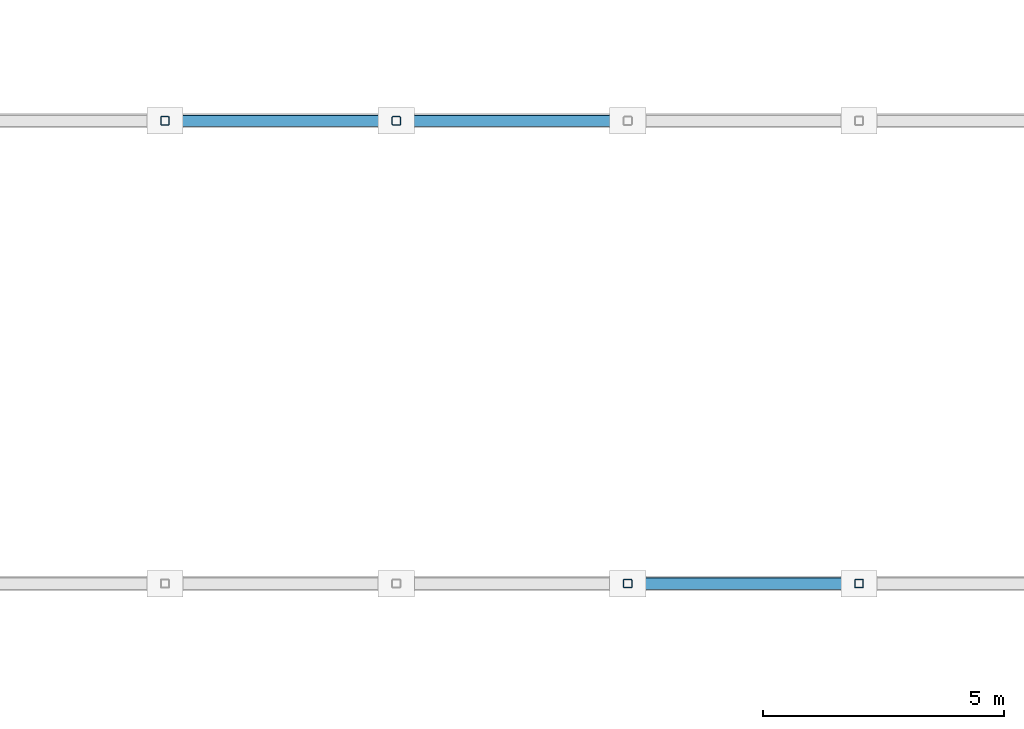
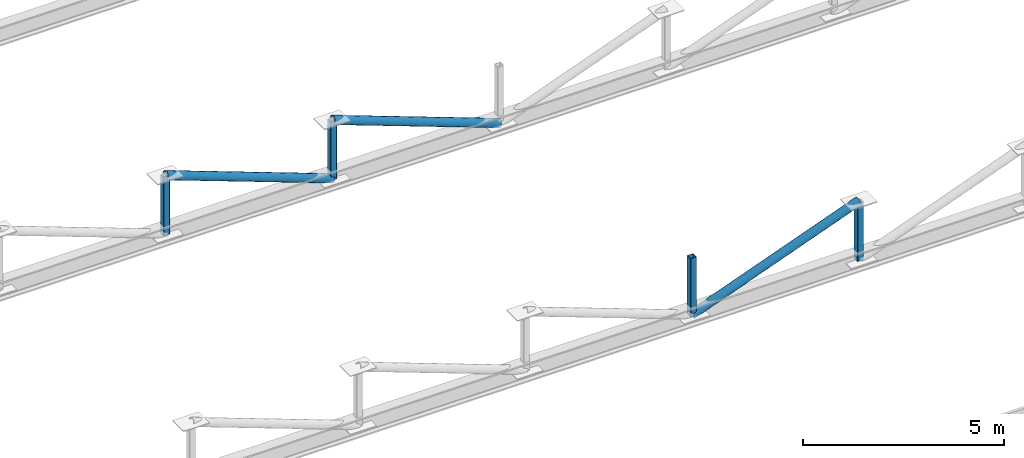
# One storey, part 26 of 101: 7 members.
"""IFC4 building model written with IfcOpenShell, lengths in metres."""

from ifc_helpers import new_model, si_unit, direction, frame, origin, origin_2d, place, context, subcontext, project, spatial, hollow_rectangle, hollow_circle, extrude, material, material_profile, profile_set, type_object, element, save


model = new_model("IFC4")

# Units and contexts
model_context = context("Model", 3, precision=1e-05, world=origin(), true_north=direction((0.0, 1.0)))
body_context = subcontext(model_context, "Body", "Model", "MODEL_VIEW")
ifc_project = project(units=[si_unit("LENGTHUNIT", "METRE"), si_unit("AREAUNIT", "SQUARE_METRE"), si_unit("VOLUMEUNIT", "CUBIC_METRE"), si_unit("PLANEANGLEUNIT", "RADIAN"), si_unit("MASSUNIT", "GRAM", prefix="KILO")], contexts=[model_context])

# Site, building, storey
site_placement = place(None, origin())
site = spatial("IfcSite", under=ifc_project, at=site_placement, CompositionType="ELEMENT")
building_placement = place(site_placement, origin())
building = spatial("IfcBuilding", under=site, at=building_placement, Name="Zevrakil Square Congress Hotel", CompositionType="ELEMENT")
storey_placement = place(building_placement, frame((0.0, 0.0, 5.39990234375)))
storey = spatial("IfcBuildingStorey", under=building, at=storey_placement, Name="L02", CompositionType="ELEMENT", Elevation=5.39990234375)

# Members
ifc_material_1 = material(Name="Steel S355", Category="steel")
ifc_material_profile_1 = material_profile(ifc_material_1, hollow_circle(Radius=0.122314453125, WallThickness=0.012451171875, at=origin_2d()), Name="CHS 244.5x12.5")
ifc_profile_set_1 = profile_set([ifc_material_profile_1], Name="Steel S355")
member_type_1 = type_object("IfcMemberType", Name="MEM-BRACE-CHS244", PredefinedType="BRACE", material=ifc_profile_set_1)
for number, where, z_axis, x_axis, name in (
    (1, (26.39990234375, 16.800048828125, 2.150146484375), (0.937932774607, 0.0, 0.346817113646), (0.0, 1.0, 0.0), "Ballroom Pratt truss diagonal BTD-14"),
    (2, (16.800048828125, 26.39990234375, 3.925048828125), (0.937932774607, 0.0, -0.346817113646), (0.0, 1.0, 0.0), "Ballroom Pratt truss diagonal BTD-22"),
):
    element("IfcMember", number, at=place(storey_placement, frame(where, z_axis=z_axis, x_axis=x_axis)), inside=storey, type_object=member_type_1, Name=name, PredefinedType="BRACE", context=body_context, shape_type="SweptSolid", body=[
        extrude(hollow_circle(Radius=0.122314453125, WallThickness=0.012451171875, at=origin_2d()), origin(), (0.0, 0.0, 1.0), 5.11767578125),
    ])
member_placement = place(storey_placement, frame((21.60009765625, 26.39990234375, 3.925048828125), z_axis=(0.937927036135, 0.0, -0.346832632386), x_axis=(0.0, 1.0, 0.0)))
element("IfcMember", 3, at=member_placement, inside=storey, type_object=member_type_1, Name="Ballroom Pratt truss diagonal BTD-23", PredefinedType="BRACE", context=body_context, shape_type="SweptSolid", body=[
    extrude(hollow_circle(Radius=0.122314453125, WallThickness=0.012451171875, at=origin_2d()), origin(), (0.0, 0.0, 1.0), 5.117431640625),
])
ifc_material_2 = material(Name="Steel S355", Category="steel")
ifc_material_profile_2 = material_profile(ifc_material_2, hollow_rectangle(XDim=0.179931640625, YDim=0.179931640625, WallThickness=0.010009765625, InnerFilletRadius=0.010009765625, OuterFilletRadius=0.02001953125, at=origin_2d()), Name="SHS 180x180x10")
ifc_profile_set_2 = profile_set([ifc_material_profile_2], Name="Steel S355")
member_type_2 = type_object("IfcMemberType", Name="MEM-BRACE-SHS180", PredefinedType="BRACE", material=ifc_profile_set_2)
for number, where, z_axis, x_axis, name in (
    (4, (26.39990234375, 16.800048828125, 2.150146484375), (0.0, 0.0, 1.0), (1.0, 0.0, 0.0), "Ballroom Pratt truss vertical BTV-14"),
    (5, (31.199951171875, 16.800048828125, 2.150146484375), (0.0, 0.0, 1.0), (1.0, 0.0, 0.0), "Ballroom Pratt truss vertical BTV-15"),
    (6, (16.800048828125, 26.39990234375, 2.150146484375), (0.0, 0.0, 1.0), (1.0, 0.0, 0.0), "Ballroom Pratt truss vertical BTV-22"),
    (7, (21.60009765625, 26.39990234375, 2.150146484375), (0.0, 0.0, 1.0), (1.0, 0.0, 0.0), "Ballroom Pratt truss vertical BTV-23"),
):
    element("IfcMember", number, at=place(storey_placement, frame(where, z_axis=z_axis, x_axis=x_axis)), inside=storey, type_object=member_type_2, Name=name, PredefinedType="BRACE", context=body_context, shape_type="SweptSolid", body=[
        extrude(hollow_rectangle(XDim=0.179931640625, YDim=0.179931640625, WallThickness=0.010009765625, InnerFilletRadius=0.010009765625, OuterFilletRadius=0.02001953125, at=origin_2d()), origin(), (0.0, 0.0, 1.0), 1.77490234375),
    ])

save(model, "model.ifc")
